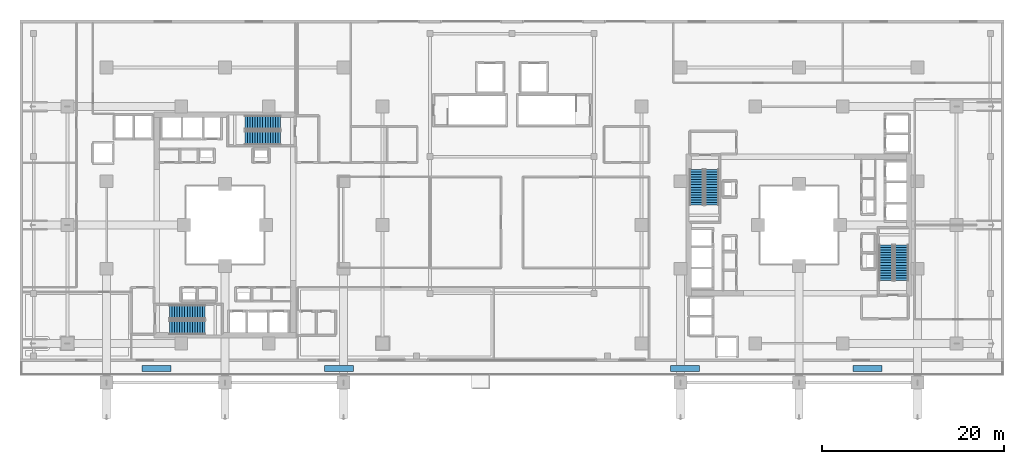
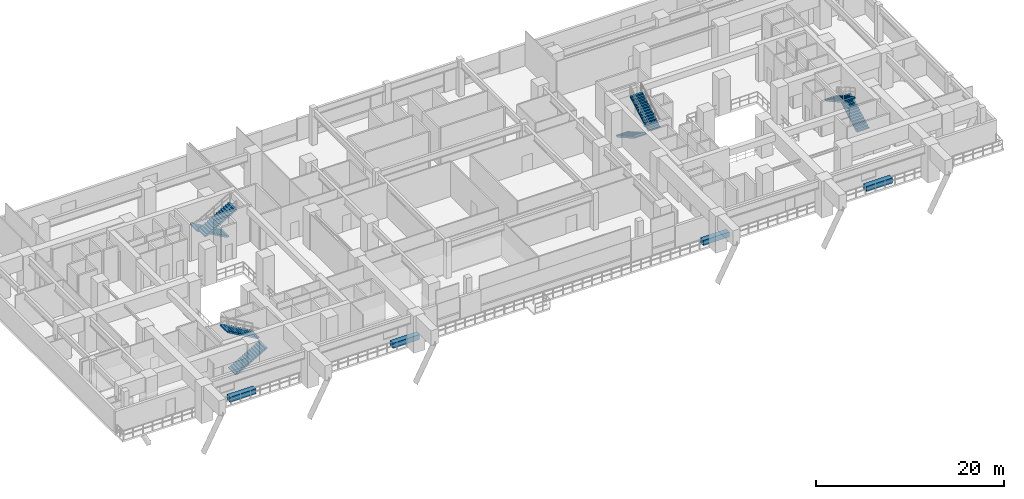
# One storey, part 21 of 25: 8 stair flights, 4 discrete accessories, 4 elements without a shape of their own.
"""IFC4 building model written with IfcOpenShell, lengths in metres."""

from ifc_helpers import new_model, si_unit, direction, frame, origin, origin_2d, place, context, subcontext, project, spatial, polyline, rectangle, outline, extrude, material, type_object, element, aggregate, save


model = new_model("IFC4")

# Units and contexts
model_context = context("Model", 3, precision=1e-05, world=origin(), true_north=direction((0.0, 1.0)))
body_context = subcontext(model_context, "Body", "Model", "MODEL_VIEW")
ifc_project = project(units=[si_unit("LENGTHUNIT", "METRE"), si_unit("AREAUNIT", "SQUARE_METRE"), si_unit("VOLUMEUNIT", "CUBIC_METRE"), si_unit("PLANEANGLEUNIT", "RADIAN"), si_unit("MASSUNIT", "GRAM", prefix="KILO")], contexts=[model_context])

# Site, building, storey
site_placement = place(None, origin())
site = spatial("IfcSite", under=ifc_project, at=site_placement, CompositionType="ELEMENT")
building_placement = place(site_placement, origin())
building = spatial("IfcBuilding", under=site, at=building_placement, Name="Thornwick Lancets Civic Towers", CompositionType="ELEMENT")
storey_placement = place(building_placement, frame((0.0, 0.0, 23.10009765625)))
storey = spatial("IfcBuildingStorey", under=building, at=storey_placement, Name="L05", CompositionType="ELEMENT", Elevation=23.10009765625)

# Stair, stair flights
ifc_material_1 = material(Name="Concrete C40/50", Category="concrete")
stair_type = type_object("IfcStairType", Name="STAIR_DL_4800", PredefinedType="HALF_TURN_STAIR", material=ifc_material_1)
stair_1_placement = place(storey_placement, origin())
stair_1 = element("IfcStair", 1, at=stair_1_placement, inside=storey, type_object=stair_type, Name="L05 Tower A South Exit Stair ST-A1", PredefinedType="HALF_TURN_STAIR")
stair_flight_type = type_object("IfcStairFlightType", Name="FLIGHT_4800", PredefinedType="STRAIGHT", material=ifc_material_1)
stair_flight_1_placement = place(storey_placement, frame((19.39990234375, 15.75, 0.0), z_axis=(0.0, 0.0, 1.0), x_axis=(1.0, 0.0, 0.0)))
stair_flight_1 = element("IfcStairFlight", 2, at=stair_flight_1_placement, type_object=stair_flight_type, Name="ST-A1 flight 1", NumberOfRisers=15, NumberOfTreads=14, PredefinedType="STRAIGHT", RiserHeight=0.16, TreadLength=0.28, context=body_context, shape_type="SweptSolid", body=[
    extrude(outline(polyline([(0.0, 0.0), (0.0, 0.159912109375), (0.280029296875, 0.159912109375), (0.280029296875, 0.320068359375), (0.56005859375, 0.320068359375), (0.56005859375, 0.47998046875), (0.840087890625, 0.47998046875), (0.840087890625, 0.639892578125), (1.1201171875, 0.639892578125), (1.1201171875, 0.800048828125), (1.39990234375, 0.800048828125), (1.39990234375, 0.9599609375), (1.679931640625, 0.9599609375), (1.679931640625, 1.1201171875), (1.9599609375, 1.1201171875), (1.9599609375, 1.280029296875), (2.239990234375, 1.280029296875), (2.239990234375, 1.43994140625), (2.52001953125, 1.43994140625), (2.52001953125, 1.60009765625), (2.800048828125, 1.60009765625), (2.800048828125, 1.760009765625), (3.080078125, 1.760009765625), (3.080078125, 1.919921875), (3.360107421875, 1.919921875), (3.360107421875, 2.080078125), (3.639892578125, 2.080078125), (3.639892578125, 2.239990234375), (3.919921875, 2.239990234375), (3.919921875, 2.39990234375), (3.919921875, 2.0673828125), (0.30224609375, 0.0), (0.0, 0.0)])), frame((0.0, 0.75, 0.0), z_axis=(0.0, -1.0, 0.0), x_axis=(1.0, 0.0, 0.0)), (0.0, 0.0, 1.0), 1.5),
])
stair_flight_2_placement = place(storey_placement, frame((23.320068359375, 17.449951171875, 2.39990234375), z_axis=(0.0, 0.0, 1.0), x_axis=(-1.0, 0.0, 0.0)))
stair_flight_2 = element("IfcStairFlight", 3, at=stair_flight_2_placement, type_object=stair_flight_type, Name="ST-A1 flight 2", NumberOfRisers=15, NumberOfTreads=14, PredefinedType="STRAIGHT", RiserHeight=0.16, TreadLength=0.28, context=body_context, shape_type="SweptSolid", body=[
    extrude(outline(polyline([(0.0, 0.0), (0.0, 0.159912109375), (0.280029296875, 0.159912109375), (0.280029296875, 0.320068359375), (0.56005859375, 0.320068359375), (0.56005859375, 0.47998046875), (0.840087890625, 0.47998046875), (0.840087890625, 0.639892578125), (1.1201171875, 0.639892578125), (1.1201171875, 0.800048828125), (1.39990234375, 0.800048828125), (1.39990234375, 0.9599609375), (1.679931640625, 0.9599609375), (1.679931640625, 1.1201171875), (1.9599609375, 1.1201171875), (1.9599609375, 1.280029296875), (2.239990234375, 1.280029296875), (2.239990234375, 1.43994140625), (2.52001953125, 1.43994140625), (2.52001953125, 1.60009765625), (2.800048828125, 1.60009765625), (2.800048828125, 1.760009765625), (3.080078125, 1.760009765625), (3.080078125, 1.919921875), (3.360107421875, 1.919921875), (3.360107421875, 2.080078125), (3.639892578125, 2.080078125), (3.639892578125, 2.239990234375), (3.919921875, 2.239990234375), (3.919921875, 2.39990234375), (3.919921875, 2.0673828125), (0.30224609375, 0.0), (0.0, 0.0)])), frame((0.0, 0.75, 0.0), z_axis=(0.0, -1.0, 0.0), x_axis=(1.0, 0.0, 0.0)), (0.0, 0.0, 1.0), 1.5),
])
aggregate(stair_1, [stair_flight_1, stair_flight_2])

stair_2_placement = place(storey_placement, origin())
stair_2 = element("IfcStair", 4, at=stair_2_placement, inside=storey, type_object=stair_type, Name="L05 Tower A North Exit Stair ST-A2", PredefinedType="HALF_TURN_STAIR")
stair_flight_3_placement = place(storey_placement, frame((31.60009765625, 38.25, 0.0), z_axis=(0.0, 0.0, 1.0), x_axis=(-1.0, 0.0, 0.0)))
stair_flight_3 = element("IfcStairFlight", 5, at=stair_flight_3_placement, type_object=stair_flight_type, Name="ST-A2 flight 1", NumberOfRisers=15, NumberOfTreads=14, PredefinedType="STRAIGHT", RiserHeight=0.16, TreadLength=0.28, context=body_context, shape_type="SweptSolid", body=[
    extrude(outline(polyline([(0.0, 0.0), (0.0, 0.159912109375), (0.280029296875, 0.159912109375), (0.280029296875, 0.320068359375), (0.56005859375, 0.320068359375), (0.56005859375, 0.47998046875), (0.840087890625, 0.47998046875), (0.840087890625, 0.639892578125), (1.1201171875, 0.639892578125), (1.1201171875, 0.800048828125), (1.39990234375, 0.800048828125), (1.39990234375, 0.9599609375), (1.679931640625, 0.9599609375), (1.679931640625, 1.1201171875), (1.9599609375, 1.1201171875), (1.9599609375, 1.280029296875), (2.239990234375, 1.280029296875), (2.239990234375, 1.43994140625), (2.52001953125, 1.43994140625), (2.52001953125, 1.60009765625), (2.800048828125, 1.60009765625), (2.800048828125, 1.760009765625), (3.080078125, 1.760009765625), (3.080078125, 1.919921875), (3.360107421875, 1.919921875), (3.360107421875, 2.080078125), (3.639892578125, 2.080078125), (3.639892578125, 2.239990234375), (3.919921875, 2.239990234375), (3.919921875, 2.39990234375), (3.919921875, 2.0673828125), (0.30224609375, 0.0), (0.0, 0.0)])), frame((0.0, 0.75, 0.0), z_axis=(0.0, -1.0, 0.0), x_axis=(1.0, 0.0, 0.0)), (0.0, 0.0, 1.0), 1.5),
])
stair_flight_4_placement = place(storey_placement, frame((27.679931640625, 36.550048828125, 2.39990234375), z_axis=(0.0, 0.0, 1.0), x_axis=(1.0, 0.0, 0.0)))
stair_flight_4 = element("IfcStairFlight", 6, at=stair_flight_4_placement, type_object=stair_flight_type, Name="ST-A2 flight 2", NumberOfRisers=15, NumberOfTreads=14, PredefinedType="STRAIGHT", RiserHeight=0.16, TreadLength=0.28, context=body_context, shape_type="SweptSolid", body=[
    extrude(outline(polyline([(0.0, 0.0), (0.0, 0.159912109375), (0.280029296875, 0.159912109375), (0.280029296875, 0.320068359375), (0.56005859375, 0.320068359375), (0.56005859375, 0.47998046875), (0.840087890625, 0.47998046875), (0.840087890625, 0.639892578125), (1.1201171875, 0.639892578125), (1.1201171875, 0.800048828125), (1.39990234375, 0.800048828125), (1.39990234375, 0.9599609375), (1.679931640625, 0.9599609375), (1.679931640625, 1.1201171875), (1.9599609375, 1.1201171875), (1.9599609375, 1.280029296875), (2.239990234375, 1.280029296875), (2.239990234375, 1.43994140625), (2.52001953125, 1.43994140625), (2.52001953125, 1.60009765625), (2.800048828125, 1.60009765625), (2.800048828125, 1.760009765625), (3.080078125, 1.760009765625), (3.080078125, 1.919921875), (3.360107421875, 1.919921875), (3.360107421875, 2.080078125), (3.639892578125, 2.080078125), (3.639892578125, 2.239990234375), (3.919921875, 2.239990234375), (3.919921875, 2.39990234375), (3.919921875, 2.0673828125), (0.30224609375, 0.0), (0.0, 0.0)])), frame((0.0, 0.75, 0.0), z_axis=(0.0, -1.0, 0.0), x_axis=(1.0, 0.0, 0.0)), (0.0, 0.0, 1.0), 1.5),
])
aggregate(stair_2, [stair_flight_3, stair_flight_4])

stair_3_placement = place(storey_placement, origin())
stair_3 = element("IfcStair", 7, at=stair_3_placement, inside=storey, type_object=stair_type, Name="L05 Tower B East Exit Stair ST-B1", PredefinedType="HALF_TURN_STAIR")
stair_flight_5_placement = place(storey_placement, frame((99.75, 20.89990234375, 0.0), z_axis=(0.0, 0.0, 1.0), x_axis=(0.0, 1.0, 0.0)))
stair_flight_5 = element("IfcStairFlight", 8, at=stair_flight_5_placement, type_object=stair_flight_type, Name="ST-B1 flight 1", NumberOfRisers=15, NumberOfTreads=14, PredefinedType="STRAIGHT", RiserHeight=0.16, TreadLength=0.28, context=body_context, shape_type="SweptSolid", body=[
    extrude(outline(polyline([(0.0, 0.0), (0.0, 0.159912109375), (0.280029296875, 0.159912109375), (0.280029296875, 0.320068359375), (0.56005859375, 0.320068359375), (0.56005859375, 0.47998046875), (0.840087890625, 0.47998046875), (0.840087890625, 0.639892578125), (1.1201171875, 0.639892578125), (1.1201171875, 0.800048828125), (1.39990234375, 0.800048828125), (1.39990234375, 0.9599609375), (1.679931640625, 0.9599609375), (1.679931640625, 1.1201171875), (1.9599609375, 1.1201171875), (1.9599609375, 1.280029296875), (2.239990234375, 1.280029296875), (2.239990234375, 1.43994140625), (2.52001953125, 1.43994140625), (2.52001953125, 1.60009765625), (2.800048828125, 1.60009765625), (2.800048828125, 1.760009765625), (3.080078125, 1.760009765625), (3.080078125, 1.919921875), (3.360107421875, 1.919921875), (3.360107421875, 2.080078125), (3.639892578125, 2.080078125), (3.639892578125, 2.239990234375), (3.919921875, 2.239990234375), (3.919921875, 2.39990234375), (3.919921875, 2.0673828125), (0.30224609375, 0.0), (0.0, 0.0)])), frame((0.0, 0.75, 0.0), z_axis=(0.0, -1.0, 0.0), x_axis=(1.0, 0.0, 0.0)), (0.0, 0.0, 1.0), 1.5),
])
stair_flight_6_placement = place(storey_placement, frame((98.050048828125, 24.820068359375, 2.39990234375), z_axis=(0.0, 0.0, 1.0), x_axis=(0.0, -1.0, 0.0)))
stair_flight_6 = element("IfcStairFlight", 9, at=stair_flight_6_placement, type_object=stair_flight_type, Name="ST-B1 flight 2", NumberOfRisers=15, NumberOfTreads=14, PredefinedType="STRAIGHT", RiserHeight=0.16, TreadLength=0.28, context=body_context, shape_type="SweptSolid", body=[
    extrude(outline(polyline([(0.0, 0.0), (0.0, 0.159912109375), (0.280029296875, 0.159912109375), (0.280029296875, 0.320068359375), (0.56005859375, 0.320068359375), (0.56005859375, 0.47998046875), (0.840087890625, 0.47998046875), (0.840087890625, 0.639892578125), (1.1201171875, 0.639892578125), (1.1201171875, 0.800048828125), (1.39990234375, 0.800048828125), (1.39990234375, 0.9599609375), (1.679931640625, 0.9599609375), (1.679931640625, 1.1201171875), (1.9599609375, 1.1201171875), (1.9599609375, 1.280029296875), (2.239990234375, 1.280029296875), (2.239990234375, 1.43994140625), (2.52001953125, 1.43994140625), (2.52001953125, 1.60009765625), (2.800048828125, 1.60009765625), (2.800048828125, 1.760009765625), (3.080078125, 1.760009765625), (3.080078125, 1.919921875), (3.360107421875, 1.919921875), (3.360107421875, 2.080078125), (3.639892578125, 2.080078125), (3.639892578125, 2.239990234375), (3.919921875, 2.239990234375), (3.919921875, 2.39990234375), (3.919921875, 2.0673828125), (0.30224609375, 0.0), (0.0, 0.0)])), frame((0.0, 0.75, 0.0), z_axis=(0.0, -1.0, 0.0), x_axis=(1.0, 0.0, 0.0)), (0.0, 0.0, 1.0), 1.5),
])
aggregate(stair_3, [stair_flight_5, stair_flight_6])

stair_4_placement = place(storey_placement, origin())
stair_4 = element("IfcStair", 10, at=stair_4_placement, inside=storey, type_object=stair_type, Name="L05 Tower B West Exit Stair ST-B2", PredefinedType="HALF_TURN_STAIR")
stair_flight_7_placement = place(storey_placement, frame((77.25, 33.10009765625, 0.0), z_axis=(0.0, 0.0, 1.0), x_axis=(0.0, -1.0, 0.0)))
stair_flight_7 = element("IfcStairFlight", 11, at=stair_flight_7_placement, type_object=stair_flight_type, Name="ST-B2 flight 1", NumberOfRisers=15, NumberOfTreads=14, PredefinedType="STRAIGHT", RiserHeight=0.16, TreadLength=0.28, context=body_context, shape_type="SweptSolid", body=[
    extrude(outline(polyline([(0.0, 0.0), (0.0, 0.159912109375), (0.280029296875, 0.159912109375), (0.280029296875, 0.320068359375), (0.56005859375, 0.320068359375), (0.56005859375, 0.47998046875), (0.840087890625, 0.47998046875), (0.840087890625, 0.639892578125), (1.1201171875, 0.639892578125), (1.1201171875, 0.800048828125), (1.39990234375, 0.800048828125), (1.39990234375, 0.9599609375), (1.679931640625, 0.9599609375), (1.679931640625, 1.1201171875), (1.9599609375, 1.1201171875), (1.9599609375, 1.280029296875), (2.239990234375, 1.280029296875), (2.239990234375, 1.43994140625), (2.52001953125, 1.43994140625), (2.52001953125, 1.60009765625), (2.800048828125, 1.60009765625), (2.800048828125, 1.760009765625), (3.080078125, 1.760009765625), (3.080078125, 1.919921875), (3.360107421875, 1.919921875), (3.360107421875, 2.080078125), (3.639892578125, 2.080078125), (3.639892578125, 2.239990234375), (3.919921875, 2.239990234375), (3.919921875, 2.39990234375), (3.919921875, 2.0673828125), (0.30224609375, 0.0), (0.0, 0.0)])), frame((0.0, 0.75, 0.0), z_axis=(0.0, -1.0, 0.0), x_axis=(1.0, 0.0, 0.0)), (0.0, 0.0, 1.0), 1.5),
])
stair_flight_8_placement = place(storey_placement, frame((78.949951171875, 29.179931640625, 2.39990234375), z_axis=(0.0, 0.0, 1.0), x_axis=(0.0, 1.0, 0.0)))
stair_flight_8 = element("IfcStairFlight", 12, at=stair_flight_8_placement, type_object=stair_flight_type, Name="ST-B2 flight 2", NumberOfRisers=15, NumberOfTreads=14, PredefinedType="STRAIGHT", RiserHeight=0.16, TreadLength=0.28, context=body_context, shape_type="SweptSolid", body=[
    extrude(outline(polyline([(0.0, 0.0), (0.0, 0.159912109375), (0.280029296875, 0.159912109375), (0.280029296875, 0.320068359375), (0.56005859375, 0.320068359375), (0.56005859375, 0.47998046875), (0.840087890625, 0.47998046875), (0.840087890625, 0.639892578125), (1.1201171875, 0.639892578125), (1.1201171875, 0.800048828125), (1.39990234375, 0.800048828125), (1.39990234375, 0.9599609375), (1.679931640625, 0.9599609375), (1.679931640625, 1.1201171875), (1.9599609375, 1.1201171875), (1.9599609375, 1.280029296875), (2.239990234375, 1.280029296875), (2.239990234375, 1.43994140625), (2.52001953125, 1.43994140625), (2.52001953125, 1.60009765625), (2.800048828125, 1.60009765625), (2.800048828125, 1.760009765625), (3.080078125, 1.760009765625), (3.080078125, 1.919921875), (3.360107421875, 1.919921875), (3.360107421875, 2.080078125), (3.639892578125, 2.080078125), (3.639892578125, 2.239990234375), (3.919921875, 2.239990234375), (3.919921875, 2.39990234375), (3.919921875, 2.0673828125), (0.30224609375, 0.0), (0.0, 0.0)])), frame((0.0, 0.75, 0.0), z_axis=(0.0, -1.0, 0.0), x_axis=(1.0, 0.0, 0.0)), (0.0, 0.0, 1.0), 1.5),
])
aggregate(stair_4, [stair_flight_7, stair_flight_8])

# Discrete accessories
ifc_material_2 = material(Name="Planted terracotta greenery planter", Category="masonry")
discrete_accessory_type = type_object("IfcDiscreteAccessoryType", Name="ACC_PLANTER_BOX", PredefinedType="USERDEFINED", material=ifc_material_2)
for number, where, z_axis, x_axis, name in (
    (13, (18.0, 11.25, 0.0), (0.0, 0.0, 1.0), (1.0, 0.0, 0.0), "L05 Cascading Terrace Planter 18"),
    (14, (38.0, 11.25, 0.0), (0.0, 0.0, 1.0), (1.0, 0.0, 0.0), "L05 Cascading Terrace Planter 38"),
    (15, (76.0, 11.25, 0.0), (0.0, 0.0, 1.0), (1.0, 0.0, 0.0), "L05 Cascading Terrace Planter 76"),
    (16, (96.0, 11.25, 0.0), (0.0, 0.0, 1.0), (1.0, 0.0, 0.0), "L05 Cascading Terrace Planter 96"),
):
    element("IfcDiscreteAccessory", number, at=place(storey_placement, frame(where, z_axis=z_axis, x_axis=x_axis)), inside=storey, type_object=discrete_accessory_type, Name=name, ObjectType="PLANTER", PredefinedType="USERDEFINED", context=body_context, shape_type="SweptSolid", body=[
        extrude(rectangle(XDim=3.199951171875, YDim=0.64990234375, at=origin_2d()), origin(), (0.0, 0.0, 1.0), 0.64990234375),
    ])

save(model, "model.ifc")
